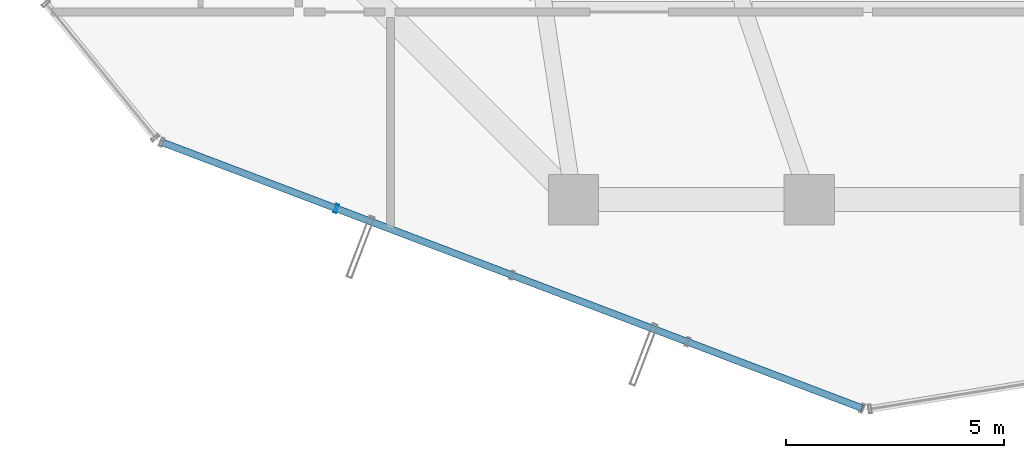
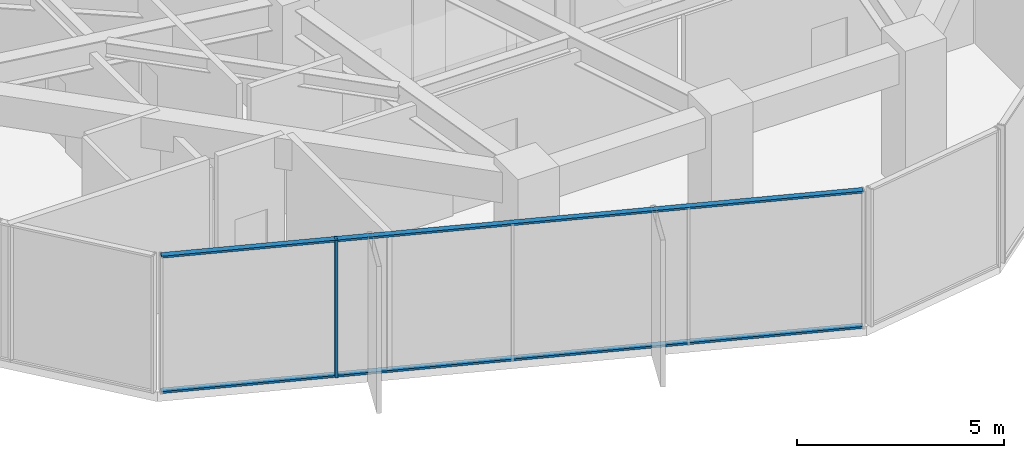
# One storey, part 3 of 26: 3 members, 1 element without a shape of its own.
"""IFC4 building model written with IfcOpenShell, lengths in metres."""

from ifc_helpers import new_model, si_unit, direction, frame, origin, origin_2d, place, context, subcontext, project, spatial, hollow_rectangle, extrude, source, transform, mapped, material, layer, layer_set, material_profile, profile_set, type_object, element, aggregate, save


model = new_model("IFC4")

# Units and contexts
model_context = context("Model", 3, precision=1e-05, world=origin(), true_north=direction((0.0, 1.0)))
body_context = subcontext(model_context, "Body", "Model", "MODEL_VIEW")
ifc_project = project(units=[si_unit("LENGTHUNIT", "METRE"), si_unit("AREAUNIT", "SQUARE_METRE"), si_unit("VOLUMEUNIT", "CUBIC_METRE"), si_unit("PLANEANGLEUNIT", "RADIAN"), si_unit("MASSUNIT", "GRAM", prefix="KILO")], contexts=[model_context])

# Site, building, storey
site_placement = place(None, origin())
site = spatial("IfcSite", under=ifc_project, at=site_placement, CompositionType="ELEMENT")
building_placement = place(site_placement, origin())
building = spatial("IfcBuilding", under=site, at=building_placement, Name="Veraguas Prism Commons", CompositionType="ELEMENT")
storey_placement = place(building_placement, frame((0.0, 0.0, 158.75)))
storey = spatial("IfcBuildingStorey", under=building, at=storey_placement, Name="L45", CompositionType="ELEMENT", Elevation=158.75)

# Curtain wall, members
ifc_material = material(Name="Anodised aluminium EN AW-6063 T6", Category="aluminium")
ifc_layer = layer(ifc_material, 0.199951171875, Name="Sky Lobby and Pool Acoustic Curtain Wall", Category="aluminium")
ifc_layer_set = layer_set([ifc_layer], Name="Anodised aluminium EN AW-6063 T6")
curtain_wall_type = type_object("IfcCurtainWallType", Name="Sky Lobby and Pool Acoustic Curtain Wall", PredefinedType="NOTDEFINED", material=ifc_layer_set)
curtain_wall_placement = place(storey_placement, origin())
curtain_wall = element("IfcCurtainWall", 1, at=curtain_wall_placement, inside=storey, type_object=curtain_wall_type, Name="Tower Facade Curtain Wall L45-F4", PredefinedType="NOTDEFINED")
ifc_material_profile_1 = material_profile(ifc_material, hollow_rectangle(XDim=0.06494140625, YDim=0.199951171875, WallThickness=0.00390625, at=origin_2d()), Name="AL65X200X4")
ifc_profile_set_1 = profile_set([ifc_material_profile_1], Name="Anodised aluminium EN AW-6063 T6")
member_type_1 = type_object("IfcMemberType", Name="Curtain Wall Mullion Heavy AL 65x200x4", PredefinedType="MULLION", material=ifc_profile_set_1)
shared_shape_1 = source(origin(), body_context, "Body", "SweptSolid", [
    extrude(hollow_rectangle(XDim=0.06494140625, YDim=0.199951171875, WallThickness=0.00390625, at=origin_2d()), origin(), (0.0, 0.0, 1.0), 4.050048828125),
])
member_1_placement = place(storey_placement, frame((13.160400390625, 7.59765625, 0.0), z_axis=(0.0, 0.0, 1.0), x_axis=(0.934824436833, -0.355110225563, 0.0)))
member_1 = element("IfcMember", 2, at=member_1_placement, type_object=member_type_1, Name="CW-SKY Mullion 2", PredefinedType="MULLION", context=body_context, shape_type="MappedRepresentation", body=[
    mapped(shared_shape_1, transform((0.0, 0.0, 0.0), scale=1.0)),
])
ifc_material_profile_2 = material_profile(ifc_material, hollow_rectangle(XDim=0.06005859375, YDim=0.159912109375, WallThickness=0.0029296875, at=origin_2d()), Name="AL60X160X3")
ifc_profile_set_2 = profile_set([ifc_material_profile_2], Name="Anodised aluminium EN AW-6063 T6")
member_type_2 = type_object("IfcMemberType", Name="Curtain Wall Transom Heavy AL 60x160x3", PredefinedType="USERDEFINED", material=ifc_profile_set_2)
shared_shape_2 = source(origin(), body_context, "Body", "SweptSolid", [
    extrude(hollow_rectangle(XDim=0.06005859375, YDim=0.159912109375, WallThickness=0.0029296875, at=origin_2d()), origin(), (0.0, 0.0, 1.0), 17.169189453125),
])
member_2_placement = place(storey_placement, frame((9.1630859375, 9.1162109375, 0.030029296875), z_axis=(0.93482587992, -0.355106426626, 0.0), x_axis=(0.0, 0.0, 1.0)))
member_2 = element("IfcMember", 3, at=member_2_placement, type_object=member_type_2, Name="CW-SKY Transom 1", ObjectType="TRANSOM", PredefinedType="USERDEFINED", context=body_context, shape_type="MappedRepresentation", body=[
    mapped(shared_shape_2, transform((0.0, 0.0, 0.0), scale=1.0)),
])
member_3_placement = place(storey_placement, frame((9.1630859375, 9.1162109375, 4.02001953125), z_axis=(0.93482587992, -0.355106426626, 0.0), x_axis=(0.0, 0.0, 1.0)))
member_3 = element("IfcMember", 4, at=member_3_placement, type_object=member_type_2, Name="CW-SKY Transom 2", ObjectType="TRANSOM", PredefinedType="USERDEFINED", context=body_context, shape_type="MappedRepresentation", body=[
    mapped(shared_shape_2, transform((0.0, 0.0, 0.0), scale=1.0)),
])
aggregate(curtain_wall, [member_1, member_2, member_3])

save(model, "model.ifc")
